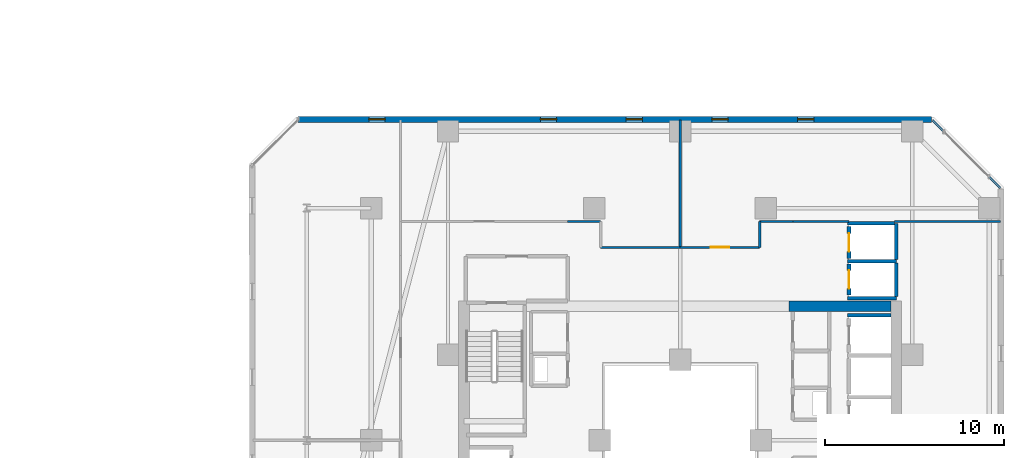
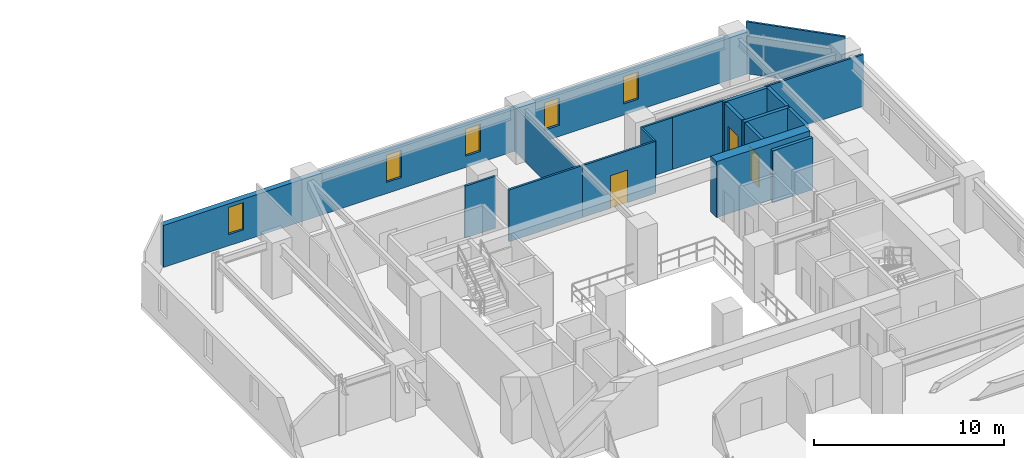
# One storey, part 26 of 33: 19 walls, 5 windows, 3 doors, 8 openings.
"""IFC4 building model written with IfcOpenShell, lengths in metres."""

from ifc_helpers import new_model, si_unit, direction, frame, frame_2d, origin, place, context, subcontext, project, spatial, rectangle, extrude, material, layer, layer_set, type_object, element, fill, save


model = new_model("IFC4")

# Units and contexts
model_context = context("Model", 3, precision=1e-05, world=origin(), true_north=direction((0.0, 1.0)))
body_context = subcontext(model_context, "Body", "Model", "MODEL_VIEW")
ifc_project = project(units=[si_unit("LENGTHUNIT", "METRE"), si_unit("AREAUNIT", "SQUARE_METRE"), si_unit("VOLUMEUNIT", "CUBIC_METRE"), si_unit("PLANEANGLEUNIT", "RADIAN"), si_unit("MASSUNIT", "GRAM", prefix="KILO")], contexts=[model_context])

# Site, building, storey
site_placement = place(None, origin())
site = spatial("IfcSite", under=ifc_project, at=site_placement, CompositionType="ELEMENT")
building_placement = place(site_placement, origin())
building = spatial("IfcBuilding", under=site, at=building_placement, Name="Thornwick Lancets Civic Towers", CompositionType="ELEMENT")
storey_placement = place(building_placement, frame((0.0, 0.0, 101.699951171875)))
storey = spatial("IfcBuildingStorey", under=building, at=storey_placement, Name="L26", CompositionType="ELEMENT", Elevation=101.699951171875)

# Wall, opening, door
ifc_material_1 = material(Name="Concrete blockwork C40/50", Category="masonry")
ifc_layer_1 = layer(ifc_material_1, 0.199951171875, Name="Concrete blockwork C40/50")
ifc_layer_set_1 = layer_set([ifc_layer_1], Name="Concrete blockwork C40/50")
wall_type_1 = type_object("IfcWallType", Name="WALL_COMP_200", PredefinedType="STANDARD", material=ifc_layer_set_1)
wall_1_placement = place(storey_placement, frame((97.949951171875, 36.8701171875, 0.0), z_axis=(0.0, 0.0, 1.0), x_axis=(0.0, -1.0, 0.0)))
wall_1 = element("IfcWall", 1, at=wall_1_placement, inside=storey, type_object=wall_type_1, Name="L26 Hoistway Front Wall PL-BL2", PredefinedType="STANDARD", context=body_context, shape_type="SweptSolid", body=[
    extrude(rectangle(XDim=1.740234375, YDim=0.199951171875, at=frame_2d((0.8701171875, 0.0))), origin(), (0.0, 0.0, 1.0), 3.340087890625),
])
opening_1_placement = place(wall_1_placement, frame((0.360107421875, 0.0, 0.0)))
opening_1 = element("IfcOpeningElement", 2, at=opening_1_placement, cuts=wall_1, Name="Opening LD-PL-BL2", PredefinedType="OPENING", context=body_context, shape_type="SweptSolid", body=[
    extrude(rectangle(XDim=1.02001953125, YDim=2.06005859375, at=frame_2d((0.510009765625, 1.030029296875))), frame((0.0, 0.10986328125, 0.0), z_axis=(0.0, -1.0, 0.0), x_axis=(1.0, 0.0, 0.0)), (0.0, 0.0, 1.0), 0.219970703125),
])
ifc_material_2 = material(Name="Brushed bronze stainless steel", Category="steel")
door_type_1 = type_object("IfcDoorType", Name="DOOR_LIFT_SLIDE", OperationType="SLIDING_TO_LEFT", PredefinedType="DOOR", material=ifc_material_2)
door_1_placement = place(opening_1_placement, origin())
door_1 = element("IfcDoor", 3, at=door_1_placement, inside=storey, type_object=door_type_1, Name="L26 Sliding Lift Landing Door LD-PL-BL2", OperationType="SLIDING_TO_LEFT", OverallHeight=2.06005859375, OverallWidth=1.02001953125, PredefinedType="DOOR", context=body_context, shape_type="SweptSolid", body=[
    extrude(rectangle(XDim=1.02001953125, YDim=2.06005859375, at=frame_2d((0.510009765625, 1.030029296875))), frame((0.0, 0.02490234375, 0.0), z_axis=(0.0, -1.0, 0.0), x_axis=(1.0, 0.0, 0.0)), (0.0, 0.0, 1.0), 0.050048828125),
])
fill(opening_1, door_1)

wall_2_placement = place(storey_placement, frame((97.949951171875, 38.969970703125, 0.0), z_axis=(0.0, 0.0, 1.0), x_axis=(0.0, -1.0, 0.0)))
wall_2 = element("IfcWall", 4, at=wall_2_placement, inside=storey, type_object=wall_type_1, Name="L26 Hoistway Front Wall PL-BL3", PredefinedType="STANDARD", context=body_context, shape_type="SweptSolid", body=[
    extrude(rectangle(XDim=1.7900390625, YDim=0.199951171875, at=frame_2d((0.89501953125, 0.0))), origin(), (0.0, 0.0, 1.0), 3.340087890625),
])
opening_2_placement = place(wall_2_placement, frame((0.385009765625, 0.0, 0.0)))
opening_2 = element("IfcOpeningElement", 5, at=opening_2_placement, cuts=wall_2, Name="Opening LD-PL-BL3", PredefinedType="OPENING", context=body_context, shape_type="SweptSolid", body=[
    extrude(rectangle(XDim=1.02001953125, YDim=2.06005859375, at=frame_2d((0.510009765625, 1.030029296875))), frame((0.0, 0.10986328125, 0.0), z_axis=(0.0, -1.0, 0.0), x_axis=(1.0, 0.0, 0.0)), (0.0, 0.0, 1.0), 0.219970703125),
])
door_2_placement = place(opening_2_placement, origin())
door_2 = element("IfcDoor", 6, at=door_2_placement, inside=storey, type_object=door_type_1, Name="L26 Sliding Lift Landing Door LD-PL-BL3", OperationType="SLIDING_TO_LEFT", OverallHeight=2.06005859375, OverallWidth=1.02001953125, PredefinedType="DOOR", context=body_context, shape_type="SweptSolid", body=[
    extrude(rectangle(XDim=1.02001953125, YDim=2.06005859375, at=frame_2d((0.510009765625, 1.030029296875))), frame((0.0, 0.02490234375, 0.0), z_axis=(0.0, -1.0, 0.0), x_axis=(1.0, 0.0, 0.0)), (0.0, 0.0, 1.0), 0.050048828125),
])
fill(opening_2, door_2)

# Walls
wall_3_placement = place(storey_placement, frame((97.85205078125, 34.0, 0.0), z_axis=(0.0, 0.0, 1.0), x_axis=(1.0, 0.0, 0.0)))
element("IfcWall", 7, at=wall_3_placement, inside=storey, type_object=wall_type_1, Name="L26 Hoistway Shaft Wall PL-BL1 N", PredefinedType="STANDARD", context=body_context, shape_type="SweptSolid", body=[
    extrude(rectangle(XDim=2.43603515625, YDim=0.199951171875, at=frame_2d((1.218017578125, 0.0))), origin(), (0.0, 0.0, 1.0), 3.340087890625),
])
for number, where, z_axis, x_axis, name in (
    (8, (97.85205078125, 37.02490234375, 0.0), (0.0, 0.0, 1.0), (1.0, 0.0, 0.0), "L26 Hoistway Shaft Wall PL-BL2 N"),
    (9, (97.85205078125, 34.949951171875, 0.0), (0.0, 0.0, 1.0), (1.0, 0.0, 0.0), "L26 Hoistway Shaft Wall PL-BL2 S"),
):
    element("IfcWall", number, at=place(storey_placement, frame(where, z_axis=z_axis, x_axis=x_axis)), inside=storey, type_object=wall_type_1, Name=name, PredefinedType="STANDARD", context=body_context, shape_type="SweptSolid", body=[
        extrude(rectangle(XDim=2.745849609375, YDim=0.199951171875, at=frame_2d((1.373046875, 0.0))), origin(), (0.0, 0.0, 1.0), 3.340087890625),
    ])
wall_4_placement = place(storey_placement, frame((100.60009765625, 35.06201171875, 0.0), z_axis=(0.0, 0.0, 1.0), x_axis=(0.0, 1.0, 0.0)))
element("IfcWall", 10, at=wall_4_placement, inside=storey, type_object=wall_type_1, Name="L26 Hoistway Shaft Wall PL-BL2 E", PredefinedType="STANDARD", context=body_context, shape_type="SweptSolid", body=[
    extrude(rectangle(XDim=1.85595703125, YDim=0.199951171875, at=frame_2d((0.927978515625, 0.0))), origin(), (0.0, 0.0, 1.0), 3.340087890625),
])
wall_5_placement = place(storey_placement, frame((100.60009765625, 37.132080078125, 0.0), z_axis=(0.0, 0.0, 1.0), x_axis=(0.0, 1.0, 0.0)))
element("IfcWall", 11, at=wall_5_placement, inside=storey, type_object=wall_type_1, Name="L26 Hoistway Shaft Wall PL-BL2 E", PredefinedType="STANDARD", context=body_context, shape_type="SweptSolid", body=[
    extrude(rectangle(XDim=2.015869140625, YDim=0.199951171875, at=frame_2d((1.0078125, 0.0))), origin(), (0.0, 0.0, 1.0), 3.340087890625),
])
wall_6_placement = place(storey_placement, frame((97.85205078125, 39.14990234375, 0.0), z_axis=(0.0, 0.0, 1.0), x_axis=(1.0, 0.0, 0.0)))
element("IfcWall", 12, at=wall_6_placement, inside=storey, type_object=wall_type_1, Name="L26 Hoistway Shaft Wall PL-BL3 N", PredefinedType="STANDARD", context=body_context, shape_type="SweptSolid", body=[
    extrude(rectangle(XDim=2.635986328125, YDim=0.199951171875, at=frame_2d((1.31787109375, 0.0))), origin(), (0.0, 0.0, 1.0), 3.340087890625),
])
ifc_material_3 = material(Name="Concrete C60/75", Category="concrete")
ifc_layer_2 = layer(ifc_material_3, 0.60009765625, Name="Concrete C60/75")
ifc_layer_set_2 = layer_set([ifc_layer_2], Name="Concrete C60/75")
wall_type_2 = type_object("IfcWallType", Name="WALL_CORE_600", PredefinedType="SHEAR", material=ifc_layer_set_2)
wall_7_placement = place(storey_placement, frame((94.60009765625, 34.5, 0.0), z_axis=(0.0, 0.0, 1.0), x_axis=(1.0, 0.0, 0.0)))
element("IfcWall", 13, at=wall_7_placement, inside=storey, type_object=wall_type_2, Name="L26 Split Core B1 Shear Wall N", PredefinedType="SHEAR", context=body_context, shape_type="SweptSolid", body=[
    extrude(rectangle(XDim=5.699951171875, YDim=0.60009765625, at=frame_2d((2.85009765625, 0.0))), origin(), (0.0, 0.0, 1.0), 3.60009765625),
])

# Wall, openings, windows
ifc_material_4 = material(Name="Insulated buff terracotta rainscreen on concrete C40/50", Category="masonry")
ifc_layer_3 = layer(ifc_material_4, 0.320068359375, Name="Insulated buff terracotta rainscreen on concrete C40/50")
ifc_layer_set_3 = layer_set([ifc_layer_3], Name="Insulated buff terracotta rainscreen on concrete C40/50")
wall_type_3 = type_object("IfcWallType", Name="WALL_EXT_TERRA_320", PredefinedType="STANDARD", material=ifc_layer_set_3)
wall_8_placement = place(storey_placement, frame((102.577392578125, 44.96044921875, 0.0), z_axis=(0.0, 0.0, 1.0), x_axis=(-0.99999999315, 0.00011704845, 0.0)))
wall_8 = element("IfcWall", 14, at=wall_8_placement, inside=storey, type_object=wall_type_3, Name="L26 Tower B Terracotta Facade Wall E4", PredefinedType="STANDARD", context=body_context, shape_type="SweptSolid", body=[
    extrude(rectangle(XDim=35.458740234375, YDim=0.320068359375, at=frame_2d((17.7294921875, 0.0))), origin(), (0.0, 0.0, 1.0), 2.699951171875),
])
opening_3_placement = place(wall_8_placement, frame((6.60009765625, 0.0, 0.719970703125)))
opening_3 = element("IfcOpeningElement", 15, at=opening_3_placement, cuts=wall_8, Name="Opening WL-01", PredefinedType="OPENING", context=body_context, shape_type="SweptSolid", body=[
    extrude(rectangle(XDim=0.89990234375, YDim=1.75, at=frame_2d((0.449951171875, 0.875))), frame((0.0, 0.169921875, 0.0), z_axis=(0.0, -1.0, 0.0), x_axis=(1.0, 0.0, 0.0)), (0.0, 0.0, 1.0), 0.340087890625),
])
opening_4_placement = place(wall_8_placement, frame((11.39990234375, 0.0, 0.719970703125)))
opening_4 = element("IfcOpeningElement", 16, at=opening_4_placement, cuts=wall_8, Name="Opening WL-01", PredefinedType="OPENING", context=body_context, shape_type="SweptSolid", body=[
    extrude(rectangle(XDim=0.89990234375, YDim=1.75, at=frame_2d((0.449951171875, 0.875))), frame((0.0, 0.169921875, 0.0), z_axis=(0.0, -1.0, 0.0), x_axis=(1.0, 0.0, 0.0)), (0.0, 0.0, 1.0), 0.340087890625),
])
opening_5_placement = place(wall_8_placement, frame((16.199951171875, 0.0, 0.719970703125)))
opening_5 = element("IfcOpeningElement", 17, at=opening_5_placement, cuts=wall_8, Name="Opening WL-01", PredefinedType="OPENING", context=body_context, shape_type="SweptSolid", body=[
    extrude(rectangle(XDim=0.89990234375, YDim=1.75, at=frame_2d((0.449951171875, 0.875))), frame((0.0, 0.169921875, 0.0), z_axis=(0.0, -1.0, 0.0), x_axis=(1.0, 0.0, 0.0)), (0.0, 0.0, 1.0), 0.340087890625),
])
opening_6_placement = place(wall_8_placement, frame((21.0, 0.0, 0.719970703125)))
opening_6 = element("IfcOpeningElement", 18, at=opening_6_placement, cuts=wall_8, Name="Opening WL-01", PredefinedType="OPENING", context=body_context, shape_type="SweptSolid", body=[
    extrude(rectangle(XDim=0.89990234375, YDim=1.75, at=frame_2d((0.449951171875, 0.875))), frame((0.0, 0.169921875, 0.0), z_axis=(0.0, -1.0, 0.0), x_axis=(1.0, 0.0, 0.0)), (0.0, 0.0, 1.0), 0.340087890625),
])
opening_7_placement = place(wall_8_placement, frame((30.60009765625, 0.0, 0.719970703125)))
opening_7 = element("IfcOpeningElement", 19, at=opening_7_placement, cuts=wall_8, Name="Opening WL-01", PredefinedType="OPENING", context=body_context, shape_type="SweptSolid", body=[
    extrude(rectangle(XDim=0.89990234375, YDim=1.75, at=frame_2d((0.449951171875, 0.875))), frame((0.0, 0.169921875, 0.0), z_axis=(0.0, -1.0, 0.0), x_axis=(1.0, 0.0, 0.0)), (0.0, 0.0, 1.0), 0.340087890625),
])
ifc_material_5 = material(Name="Clear low-e double glazing in bronze frame", Category="glass")
window_type = type_object("IfcWindowType", Name="WIN_LANCET_900", PartitioningType="SINGLE_PANEL", PredefinedType="WINDOW", material=ifc_material_5)
window_1_placement = place(opening_3_placement, origin())
window_1 = element("IfcWindow", 20, at=window_1_placement, inside=storey, type_object=window_type, Name="L26 Tower B Staggered Lancet Window E4-1", OverallHeight=1.75, OverallWidth=0.89990234375, PartitioningType="SINGLE_PANEL", PredefinedType="WINDOW", context=body_context, shape_type="SweptSolid", body=[
    extrude(rectangle(XDim=0.89990234375, YDim=1.75, at=frame_2d((0.449951171875, 0.875))), frame((0.0, 0.030029296875, 0.0), z_axis=(0.0, -1.0, 0.0), x_axis=(1.0, 0.0, 0.0)), (0.0, 0.0, 1.0), 0.06005859375),
])
fill(opening_3, window_1)
window_2_placement = place(opening_4_placement, origin())
window_2 = element("IfcWindow", 21, at=window_2_placement, inside=storey, type_object=window_type, Name="L26 Tower B Staggered Lancet Window E4-2", OverallHeight=1.75, OverallWidth=0.89990234375, PartitioningType="SINGLE_PANEL", PredefinedType="WINDOW", context=body_context, shape_type="SweptSolid", body=[
    extrude(rectangle(XDim=0.89990234375, YDim=1.75, at=frame_2d((0.449951171875, 0.875))), frame((0.0, 0.030029296875, 0.0), z_axis=(0.0, -1.0, 0.0), x_axis=(1.0, 0.0, 0.0)), (0.0, 0.0, 1.0), 0.06005859375),
])
fill(opening_4, window_2)
window_3_placement = place(opening_5_placement, origin())
window_3 = element("IfcWindow", 22, at=window_3_placement, inside=storey, type_object=window_type, Name="L26 Tower B Staggered Lancet Window E4-3", OverallHeight=1.75, OverallWidth=0.89990234375, PartitioningType="SINGLE_PANEL", PredefinedType="WINDOW", context=body_context, shape_type="SweptSolid", body=[
    extrude(rectangle(XDim=0.89990234375, YDim=1.75, at=frame_2d((0.449951171875, 0.875))), frame((0.0, 0.030029296875, 0.0), z_axis=(0.0, -1.0, 0.0), x_axis=(1.0, 0.0, 0.0)), (0.0, 0.0, 1.0), 0.06005859375),
])
fill(opening_5, window_3)
window_4_placement = place(opening_6_placement, origin())
window_4 = element("IfcWindow", 23, at=window_4_placement, inside=storey, type_object=window_type, Name="L26 Tower B Staggered Lancet Window E4-4", OverallHeight=1.75, OverallWidth=0.89990234375, PartitioningType="SINGLE_PANEL", PredefinedType="WINDOW", context=body_context, shape_type="SweptSolid", body=[
    extrude(rectangle(XDim=0.89990234375, YDim=1.75, at=frame_2d((0.449951171875, 0.875))), frame((0.0, 0.030029296875, 0.0), z_axis=(0.0, -1.0, 0.0), x_axis=(1.0, 0.0, 0.0)), (0.0, 0.0, 1.0), 0.06005859375),
])
fill(opening_6, window_4)
window_5_placement = place(opening_7_placement, origin())
window_5 = element("IfcWindow", 24, at=window_5_placement, inside=storey, type_object=window_type, Name="L26 Tower B Staggered Lancet Window E4-5", OverallHeight=1.75, OverallWidth=0.89990234375, PartitioningType="SINGLE_PANEL", PredefinedType="WINDOW", context=body_context, shape_type="SweptSolid", body=[
    extrude(rectangle(XDim=0.89990234375, YDim=1.75, at=frame_2d((0.449951171875, 0.875))), frame((0.0, 0.030029296875, 0.0), z_axis=(0.0, -1.0, 0.0), x_axis=(1.0, 0.0, 0.0)), (0.0, 0.0, 1.0), 0.06005859375),
])
fill(opening_7, window_5)

# Walls
ifc_material_6 = material(Name="Acoustic gypsum board partition")
ifc_layer_4 = layer(ifc_material_6, 0.1201171875, Name="Acoustic gypsum board partition")
ifc_layer_set_4 = layer_set([ifc_layer_4], Name="Acoustic gypsum board partition")
wall_type_4 = type_object("IfcWallType", Name="WALL_PART_120", PredefinedType="PARTITIONING", material=ifc_layer_set_4)
wall_9_placement = place(storey_placement, frame((106.419921875, 39.25, 0.0), z_axis=(0.0, 0.0, 1.0), x_axis=(-1.0, 0.0, 0.0)))
element("IfcWall", 25, at=wall_9_placement, inside=storey, type_object=wall_type_4, Name="L26 Partition L26-B-E1 E2", PredefinedType="PARTITIONING", context=body_context, shape_type="SweptSolid", body=[
    extrude(rectangle(XDim=5.931884765625, YDim=0.1201171875, at=frame_2d((2.9658203125, 0.0))), origin(), (0.0, 0.0, 1.0), 3.340087890625),
])
wall_10_placement = place(storey_placement, frame((97.949951171875, 39.25, 0.0), z_axis=(0.0, 0.0, 1.0), x_axis=(-1.0, 0.0, 0.0)))
element("IfcWall", 26, at=wall_10_placement, inside=storey, type_object=wall_type_4, Name="L26 Partition L26-B-E1 E3", PredefinedType="PARTITIONING", context=body_context, shape_type="SweptSolid", body=[
    extrude(rectangle(XDim=3.14990234375, YDim=0.1201171875, at=frame_2d((1.574951171875, 0.0))), origin(), (0.0, 0.0, 1.0), 3.340087890625),
])
wall_11_placement = place(storey_placement, frame((94.800048828125, 39.25, 0.0), z_axis=(0.0, 0.0, 1.0), x_axis=(-1.0, 0.0, 0.0)))
element("IfcWall", 27, at=wall_11_placement, inside=storey, type_object=wall_type_4, Name="L26 Partition L26-B-E1 E4", PredefinedType="PARTITIONING", context=body_context, shape_type="SweptSolid", body=[
    extrude(rectangle(XDim=1.85009765625, YDim=0.1201171875, at=frame_2d((0.925048828125, 0.0))), origin(), (0.0, 0.0, 1.0), 3.340087890625),
])
wall_12_placement = place(storey_placement, frame((92.949951171875, 39.25, 0.0), z_axis=(0.0, 0.0, 1.0), x_axis=(0.0, -1.0, 0.0)))
element("IfcWall", 28, at=wall_12_placement, inside=storey, type_object=wall_type_4, Name="L26 Partition L26-B-E1 E5", PredefinedType="PARTITIONING", context=body_context, shape_type="SweptSolid", body=[
    extrude(rectangle(XDim=1.449951171875, YDim=0.1201171875, at=frame_2d((0.72509765625, 0.0))), origin(), (0.0, 0.0, 1.0), 3.340087890625),
])

# Wall, opening, door
wall_13_placement = place(storey_placement, frame((92.949951171875, 37.800048828125, 0.0), z_axis=(0.0, 0.0, 1.0), x_axis=(-1.0, 0.0, 0.0)))
wall_13 = element("IfcWall", 29, at=wall_13_placement, inside=storey, type_object=wall_type_4, Name="L26 Partition L26-B-E1 E6", PredefinedType="PARTITIONING", context=body_context, shape_type="SweptSolid", body=[
    extrude(rectangle(XDim=4.449951171875, YDim=0.1201171875, at=frame_2d((2.22509765625, 0.0))), origin(), (0.0, 0.0, 1.0), 3.340087890625),
])
opening_8_placement = place(wall_13_placement, frame((1.699951171875, 0.0, 0.0)))
opening_8 = element("IfcOpeningElement", 30, at=opening_8_placement, cuts=wall_13, Name="Opening D-L26-1225", PredefinedType="OPENING", context=body_context, shape_type="SweptSolid", body=[
    extrude(rectangle(XDim=1.050048828125, YDim=2.10009765625, at=frame_2d((0.52490234375, 1.050048828125))), frame((0.0, 0.070068359375, 0.0), z_axis=(0.0, -1.0, 0.0), x_axis=(1.0, 0.0, 0.0)), (0.0, 0.0, 1.0), 0.14013671875),
])
ifc_material_7 = material(Name="Glazed European oak executive doorset")
door_type_2 = type_object("IfcDoorType", Name="DOOR_OFFICE_1050", OperationType="NOTDEFINED", PredefinedType="DOOR", material=ifc_material_7)
door_3_placement = place(opening_8_placement, origin())
door_3 = element("IfcDoor", 31, at=door_3_placement, inside=storey, type_object=door_type_2, Name="L26 Tower B Secretariat Open Office E1 Door", OperationType="SINGLE_SWING_RIGHT", OverallHeight=2.10009765625, OverallWidth=1.050048828125, PredefinedType="DOOR", context=body_context, shape_type="SweptSolid", body=[
    extrude(rectangle(XDim=1.050048828125, YDim=2.10009765625, at=frame_2d((0.52490234375, 1.050048828125))), frame((0.0, 0.02490234375, 0.0), z_axis=(0.0, -1.0, 0.0), x_axis=(1.0, 0.0, 0.0)), (0.0, 0.0, 1.0), 0.050048828125),
])
fill(opening_8, door_3)

# Walls
wall_14_placement = place(storey_placement, frame((88.5, 37.800048828125, 0.0), z_axis=(0.0, 0.0, 1.0), x_axis=(0.0, 1.0, 0.0)))
element("IfcWall", 32, at=wall_14_placement, inside=storey, type_object=wall_type_4, Name="L26 Partition L26-B-E1 E7", PredefinedType="PARTITIONING", context=body_context, shape_type="SweptSolid", body=[
    extrude(rectangle(XDim=7.119873046875, YDim=0.1201171875, at=frame_2d((3.56005859375, 0.0))), origin(), (0.0, 0.0, 1.0), 2.8779296875),
])
wall_15_placement = place(storey_placement, frame((102.616455078125, 44.919921875, 0.0), z_axis=(0.0, 0.0, 1.0), x_axis=(0.707106781187, -0.707106781187, 0.0)))
element("IfcWall", 33, at=wall_15_placement, inside=storey, type_object=wall_type_4, Name="L26 Partition L26-B-E1 E9", PredefinedType="PARTITIONING", context=body_context, shape_type="SweptSolid", body=[
    extrude(rectangle(XDim=5.37890625, YDim=0.1201171875, at=frame_2d((2.689453125, 0.0))), origin(), (0.0, 0.0, 1.0), 3.340087890625),
])
wall_16_placement = place(storey_placement, frame((84.050048828125, 39.25, 0.0), z_axis=(0.0, 0.0, 1.0), x_axis=(-1.0, 0.0, 0.0)))
element("IfcWall", 34, at=wall_16_placement, inside=storey, type_object=wall_type_4, Name="L26 Partition L26-B-E2 E2", PredefinedType="PARTITIONING", context=body_context, shape_type="SweptSolid", body=[
    extrude(rectangle(XDim=1.85009765625, YDim=0.1201171875, at=frame_2d((0.925048828125, 0.0))), origin(), (0.0, 0.0, 1.0), 3.340087890625),
])
wall_17_placement = place(storey_placement, frame((88.5, 37.800048828125, 0.0), z_axis=(0.0, 0.0, 1.0), x_axis=(-1.0, 0.0, 0.0)))
element("IfcWall", 35, at=wall_17_placement, inside=storey, type_object=wall_type_4, Name="L26 Partition L26-B-E2 E7", PredefinedType="PARTITIONING", context=body_context, shape_type="SweptSolid", body=[
    extrude(rectangle(XDim=4.449951171875, YDim=0.1201171875, at=frame_2d((2.22509765625, 0.0))), origin(), (0.0, 0.0, 1.0), 3.340087890625),
])

save(model, "model.ifc")
